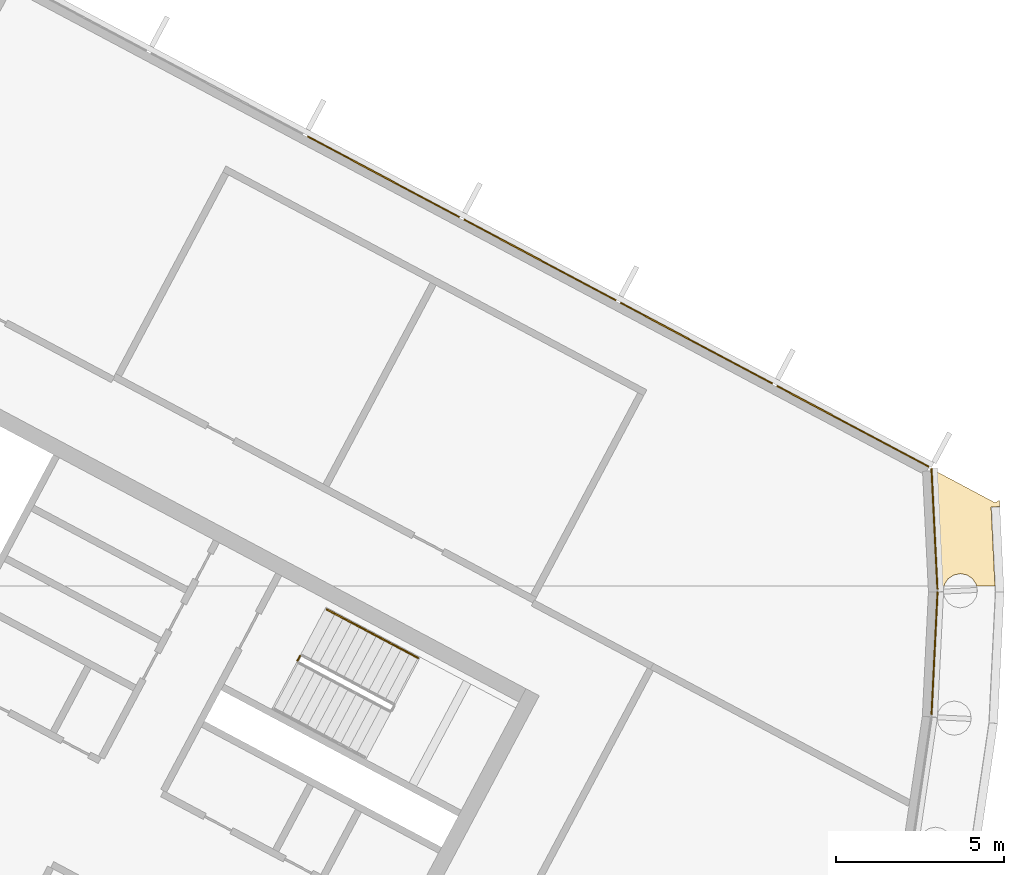
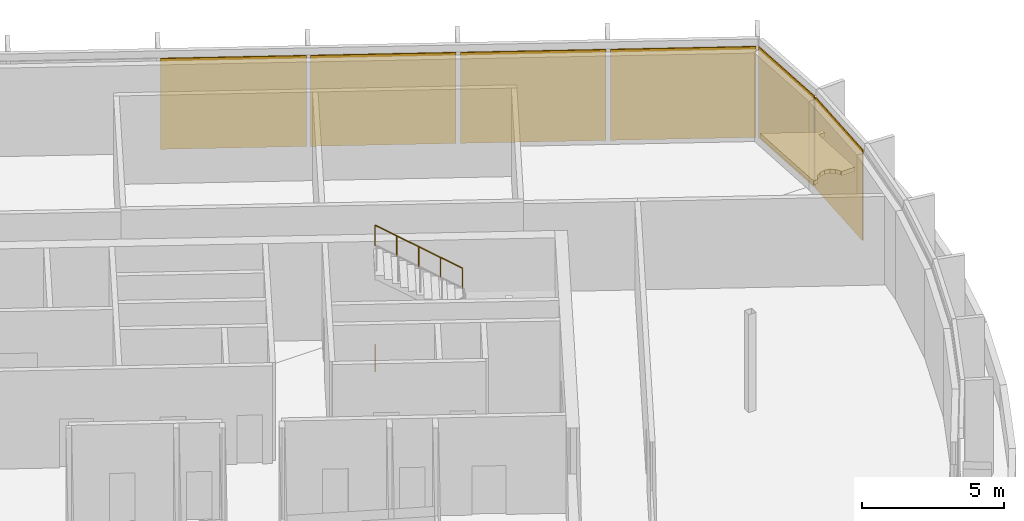
# One storey, part 15 of 16: 7 coverings, 2 railings, 3 elements without a shape of their own.
"""IFC4 building model written with IfcOpenShell, lengths in metres."""

from ifc_helpers import new_model, si_unit, direction, frame, origin, origin_2d, place, context, subcontext, project, spatial, polyline, rectangle, outline, extrude, material, layer, layer_set, type_object, element, aggregate, save


model = new_model("IFC4")

# Units and contexts
model_context = context("Model", 3, precision=1e-05, world=origin(), true_north=direction((0.0, 1.0)))
body_context = subcontext(model_context, "Body", "Model", "MODEL_VIEW")
ifc_project = project(units=[si_unit("LENGTHUNIT", "METRE"), si_unit("AREAUNIT", "SQUARE_METRE"), si_unit("VOLUMEUNIT", "CUBIC_METRE"), si_unit("PLANEANGLEUNIT", "RADIAN"), si_unit("MASSUNIT", "GRAM", prefix="KILO")], contexts=[model_context])

# Site, building, storey
site_placement = place(None, origin())
site = spatial("IfcSite", under=ifc_project, at=site_placement, CompositionType="ELEMENT")
building_placement = place(site_placement, origin())
building = spatial("IfcBuilding", under=site, at=building_placement, Name="Cormorant Relay Tower", CompositionType="ELEMENT")
storey_placement = place(building_placement, frame((0.0, 0.0, 345.0)))
storey = spatial("IfcBuildingStorey", under=building, at=storey_placement, Name="C5", CompositionType="ELEMENT", Elevation=345.0)

# Curtain wall, covering
ifc_material_1 = material(Name="Aluminium 6063-T6 anodised bronze", Category="aluminium")
ifc_layer_1 = layer(ifc_material_1, 0.199951171875)
ifc_layer_set_1 = layer_set([ifc_layer_1], Name="CW3 crown screen wall")
curtain_wall_type = type_object("IfcCurtainWallType", Name="CW3 crown screen wall", PredefinedType="NOTDEFINED", material=ifc_layer_set_1)
curtain_wall_1_placement = place(storey_placement, origin())
curtain_wall_1 = element("IfcCurtainWall", 1, at=curtain_wall_1_placement, inside=storey, type_object=curtain_wall_type, Name="CW3 curtain wall 12", PredefinedType="NOTDEFINED")
ifc_material_2 = material(Name="Perforated bronze anodised aluminium screen", Category="aluminium")
ifc_layer_2 = layer(ifc_material_2, 0.0400390625)
ifc_layer_set_2 = layer_set([ifc_layer_2], Name="CW3 perforated bronze screen panel 40")
covering_type_1 = type_object("IfcCoveringType", Name="CW3 perforated bronze screen panel 40", PredefinedType="CLADDING", material=ifc_layer_set_2)
covering_1_placement = place(storey_placement, frame((-1.80224609375, 19.30029296875, 0.0), z_axis=(0.0, 0.0, 1.0), x_axis=(0.049067674327, 0.998795456205, 0.0)))
covering_1 = element("IfcCovering", 2, at=covering_1_placement, type_object=covering_type_1, Name="CW3 panel X00", PredefinedType="CLADDING", context=body_context, shape_type="SweptSolid", body=[
    extrude(rectangle(XDim=3.654052734375, YDim=0.0400390625, at=origin_2d()), origin(), (0.0, 0.0, 1.0), 3.89990234375),
])
aggregate(curtain_wall_1, [covering_1])

curtain_wall_2_placement = place(storey_placement, origin())
curtain_wall_2 = element("IfcCurtainWall", 3, at=curtain_wall_2_placement, inside=storey, type_object=curtain_wall_type, Name="CW3 curtain wall 13", PredefinedType="NOTDEFINED")
covering_2_placement = place(storey_placement, frame((-1.8046875, 23.002197265625, 0.0), z_axis=(0.0, 0.0, 1.0), x_axis=(-0.049067674327, 0.998795456205, 0.0)))
covering_2 = element("IfcCovering", 4, at=covering_2_placement, type_object=covering_type_1, Name="CW3 panel X00", PredefinedType="CLADDING", context=body_context, shape_type="SweptSolid", body=[
    extrude(rectangle(XDim=3.6044921875, YDim=0.0400390625, at=origin_2d()), origin(), (0.0, 0.0, 1.0), 3.89990234375),
])
aggregate(curtain_wall_2, [covering_2])

# Curtain wall, coverings
curtain_wall_3_placement = place(storey_placement, origin())
curtain_wall_3 = element("IfcCurtainWall", 5, at=curtain_wall_3_placement, inside=storey, type_object=curtain_wall_type, Name="CW3 curtain wall 14", PredefinedType="NOTDEFINED")
covering_3_placement = place(storey_placement, frame((-4.23388671875, 26.057861328125, 0.0), z_axis=(0.0, 0.0, 1.0), x_axis=(-0.882947592859, 0.469471562786, 0.0)))
covering_3 = element("IfcCovering", 6, at=covering_3_placement, type_object=covering_type_1, Name="CW3 panel X00", PredefinedType="CLADDING", context=body_context, shape_type="SweptSolid", body=[
    extrude(rectangle(XDim=5.1279296875, YDim=0.0400390625, at=origin_2d()), origin(), (0.0, 0.0, 1.0), 3.89990234375),
])
covering_4_placement = place(storey_placement, frame((-8.893798828125, 28.53564453125, 0.0), z_axis=(0.0, 0.0, 1.0), x_axis=(-0.882947592859, 0.469471562786, 0.0)))
covering_4 = element("IfcCovering", 7, at=covering_4_placement, type_object=covering_type_1, Name="CW3 panel X01", PredefinedType="CLADDING", context=body_context, shape_type="SweptSolid", body=[
    extrude(rectangle(XDim=5.1279296875, YDim=0.0400390625, at=origin_2d()), origin(), (0.0, 0.0, 1.0), 3.89990234375),
])
covering_5_placement = place(storey_placement, frame((-13.553955078125, 31.013427734375, 0.0), z_axis=(0.0, 0.0, 1.0), x_axis=(-0.882947592859, 0.469471562786, 0.0)))
covering_5 = element("IfcCovering", 8, at=covering_5_placement, type_object=covering_type_1, Name="CW3 panel X02", PredefinedType="CLADDING", context=body_context, shape_type="SweptSolid", body=[
    extrude(rectangle(XDim=5.1279296875, YDim=0.0400390625, at=origin_2d()), origin(), (0.0, 0.0, 1.0), 3.89990234375),
])
covering_6_placement = place(storey_placement, frame((-18.214111328125, 33.4912109375, 0.0), z_axis=(0.0, 0.0, 1.0), x_axis=(-0.882947592859, 0.469471562786, 0.0)))
covering_6 = element("IfcCovering", 9, at=covering_6_placement, type_object=covering_type_1, Name="CW3 panel X03", PredefinedType="CLADDING", context=body_context, shape_type="SweptSolid", body=[
    extrude(rectangle(XDim=5.1279296875, YDim=0.0400390625, at=origin_2d()), origin(), (0.0, 0.0, 1.0), 3.89990234375),
])
aggregate(curtain_wall_3, [covering_3, covering_4, covering_5, covering_6])

# Covering
ifc_material_3 = material(Name="Bituminous waterproof membrane on mineral wool insulation")
ifc_layer_3 = layer(ifc_material_3, 0.179931640625)
ifc_layer_set_3 = layer_set([ifc_layer_3], Name="Roof membrane and insulation 180")
covering_type_2 = type_object("IfcCoveringType", Name="Roof membrane and insulation 180", PredefinedType="ROOFING", material=ifc_layer_set_3)
covering_7_placement = place(storey_placement, origin())
element("IfcCovering", 10, at=covering_7_placement, inside=storey, type_object=covering_type_2, Name="Roof membrane", PredefinedType="ROOFING", context=body_context, shape_type="SweptSolid", body=[
    extrude(outline(polyline([(-1.691162109375, 21.300048828125), (-1.86181640625, 24.77392578125), (0.0, 23.783935546875), (0.13330078125, 23.85498046875), (0.142578125, 23.668212890625), (-0.1171875, 23.655517578125), (-0.00146484375, 21.300048828125), (-0.551025390625, 21.300048828125), (-0.56201171875, 21.355712890625), (-0.672607421875, 21.521484375), (-0.83837890625, 21.632080078125), (-1.033447265625, 21.6708984375), (-1.228759765625, 21.632080078125), (-1.394287109375, 21.521484375), (-1.5048828125, 21.355712890625), (-1.51611328125, 21.300048828125), (-1.691162109375, 21.300048828125)])), origin(), (0.0, 0.0, 1.0), 0.179931640625),
])

# Railings
ifc_material_4 = material(Name="Steel ASTM A572 Grade 50 (Fy 345 MPa)", Category="steel")
railing_type_1 = type_object("IfcRailingType", Name="Stair guard 1100", PredefinedType="GUARDRAIL", material=ifc_material_4)
railing_1_placement = place(storey_placement, frame((-20.771240234375, 19.08544921875, 0.0)))
element("IfcRailing", 11, at=railing_1_placement, inside=storey, type_object=railing_type_1, Name="C5 A1 stair guard 4", PredefinedType="GUARDRAIL", context=body_context, shape_type="SweptSolid", body=[
    extrude(outline(polyline([(0.022216796875, 0.00927734375), (0.00927734375, 0.022216796875), (-0.00927734375, 0.022216796875), (-0.022216796875, 0.00927734375), (-0.022216796875, -0.00927734375), (-0.00927734375, -0.022216796875), (0.00927734375, -0.022216796875), (0.022216796875, -0.00927734375), (0.022216796875, 0.00927734375)])), frame((0.0, 0.0, 1.076171875), z_axis=(0.469828648786, 0.882757634224, 0.0), x_axis=(-0.882757634224, 0.469828648786, 0.0)), (0.0, 0.0, 1.0), 0.150146484375),
    extrude(outline(polyline([(0.019287109375, 0.008056640625), (0.008056640625, 0.019287109375), (-0.008056640625, 0.019287109375), (-0.019287109375, 0.008056640625), (-0.019287109375, -0.008056640625), (-0.008056640625, -0.019287109375), (0.008056640625, -0.019287109375), (0.019287109375, -0.008056640625), (0.019287109375, 0.008056640625)])), origin(), (0.0, 0.0, 1.0), 1.052001953125),
    extrude(outline(polyline([(0.019287109375, 0.008056640625), (0.008056640625, 0.019287109375), (-0.008056640625, 0.019287109375), (-0.019287109375, 0.008056640625), (-0.019287109375, -0.008056640625), (-0.008056640625, -0.019287109375), (0.008056640625, -0.019287109375), (0.019287109375, -0.008056640625), (0.019287109375, 0.008056640625)])), frame((0.070556640625, 0.132568359375, 0.0)), (0.0, 0.0, 1.0), 1.052001953125),
])
ifc_material_5 = material(Name="Steel ASTM A572 Grade 50 (Fy 345 MPa)", Category="steel")
railing_type_2 = type_object("IfcRailingType", Name="Stair handrail 900", PredefinedType="HANDRAIL", material=ifc_material_5)
railing_2_placement = place(storey_placement, frame((-17.18603515625, 19.1611328125, 2.27490234375)))
element("IfcRailing", 12, at=railing_2_placement, inside=storey, type_object=railing_type_2, Name="C5 A1 stair handrail 2", PredefinedType="HANDRAIL", context=body_context, shape_type="SweptSolid", body=[
    extrude(outline(polyline([(0.022216796875, 0.00927734375), (0.00927734375, 0.022216796875), (-0.00927734375, 0.022216796875), (-0.022216796875, 0.00927734375), (-0.022216796875, -0.00927734375), (-0.00927734375, -0.022216796875), (0.00927734375, -0.022216796875), (0.022216796875, -0.00927734375), (0.022216796875, 0.00927734375)])), frame((0.0, 0.0, 0.8759765625), z_axis=(-0.748727239859, 0.398124736663, 0.530003975787), x_axis=(-0.469489399267, -0.882938108802, 0.0)), (0.0, 0.0, 1.0), 3.632080078125),
    extrude(outline(polyline([(0.019287109375, 0.008056640625), (0.008056640625, 0.019287109375), (-0.008056640625, 0.019287109375), (-0.019287109375, 0.008056640625), (-0.019287109375, -0.008056640625), (-0.008056640625, -0.019287109375), (0.008056640625, -0.019287109375), (0.019287109375, -0.008056640625), (0.019287109375, 0.008056640625)])), origin(), (0.0, 0.0, 1.0), 0.851806640625),
    extrude(outline(polyline([(0.019287109375, 0.008056640625), (0.008056640625, 0.019287109375), (-0.008056640625, 0.019287109375), (-0.019287109375, 0.008056640625), (-0.019287109375, -0.008056640625), (-0.008056640625, -0.019287109375), (0.008056640625, -0.019287109375), (0.019287109375, -0.008056640625), (0.019287109375, 0.008056640625)])), frame((-0.679931640625, 0.361572265625, 0.481201171875)), (0.0, 0.0, 1.0), 0.851806640625),
    extrude(outline(polyline([(0.019287109375, 0.008056640625), (0.008056640625, 0.019287109375), (-0.008056640625, 0.019287109375), (-0.019287109375, 0.008056640625), (-0.019287109375, -0.008056640625), (-0.008056640625, -0.019287109375), (0.008056640625, -0.019287109375), (0.019287109375, -0.008056640625), (0.019287109375, 0.008056640625)])), frame((-1.35986328125, 0.72314453125, 0.96240234375)), (0.0, 0.0, 1.0), 0.851806640625),
    extrude(outline(polyline([(0.019287109375, 0.008056640625), (0.008056640625, 0.019287109375), (-0.008056640625, 0.019287109375), (-0.019287109375, 0.008056640625), (-0.019287109375, -0.008056640625), (-0.008056640625, -0.019287109375), (0.008056640625, -0.019287109375), (0.019287109375, -0.008056640625), (0.019287109375, 0.008056640625)])), frame((-2.03955078125, 1.08447265625, 1.44384765625)), (0.0, 0.0, 1.0), 0.851806640625),
    extrude(outline(polyline([(0.019287109375, 0.008056640625), (0.008056640625, 0.019287109375), (-0.008056640625, 0.019287109375), (-0.019287109375, 0.008056640625), (-0.019287109375, -0.008056640625), (-0.008056640625, -0.019287109375), (0.008056640625, -0.019287109375), (0.019287109375, -0.008056640625), (0.019287109375, 0.008056640625)])), frame((-2.719482421875, 1.446044921875, 1.925048828125)), (0.0, 0.0, 1.0), 0.851806640625),
])

save(model, "model.ifc")
